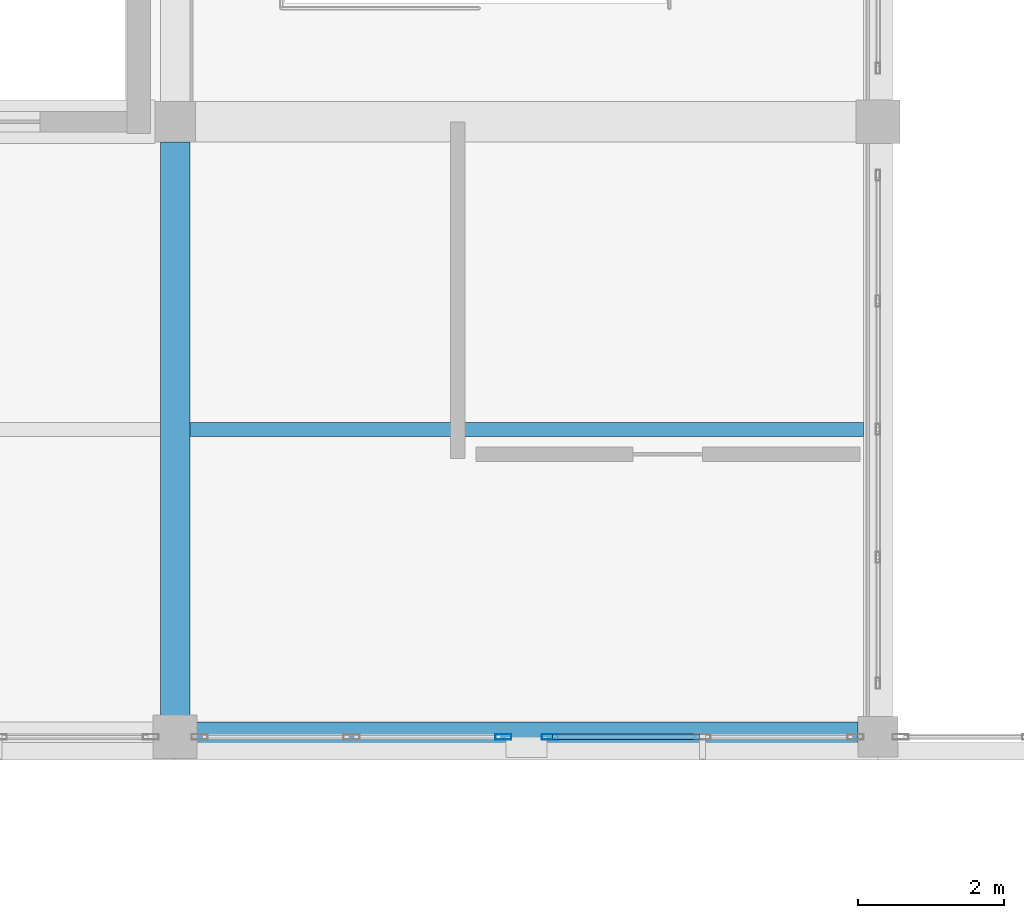
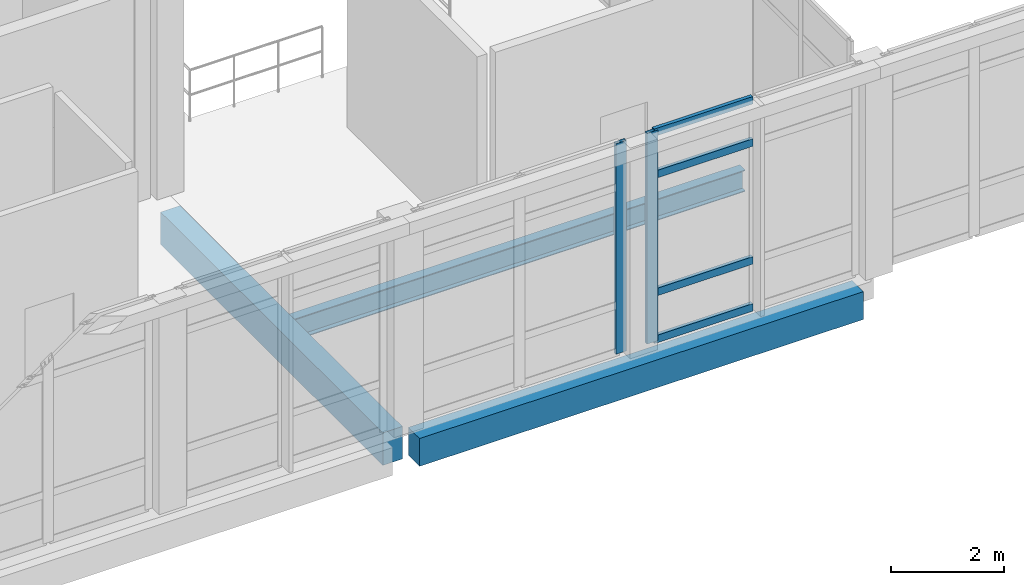
# One storey, part 22 of 88: 6 members, 3 beams, 2 elements without a shape of their own.
"""IFC4 building model written with IfcOpenShell, lengths in metres."""

from ifc_helpers import new_model, si_unit, direction, frame, origin, origin_2d, place, context, subcontext, project, spatial, rectangle, hollow_rectangle, i_section, extrude, material, layer, layer_set, material_profile, profile_set, type_object, element, aggregate, save


model = new_model("IFC4")

# Units and contexts
model_context = context("Model", 3, precision=1e-05, world=origin(), true_north=direction((0.0, 1.0)))
body_context = subcontext(model_context, "Body", "Model", "MODEL_VIEW")
ifc_project = project(units=[si_unit("LENGTHUNIT", "METRE"), si_unit("AREAUNIT", "SQUARE_METRE"), si_unit("VOLUMEUNIT", "CUBIC_METRE"), si_unit("PLANEANGLEUNIT", "RADIAN"), si_unit("MASSUNIT", "GRAM", prefix="KILO")], contexts=[model_context])

# Site, building, storey
site_placement = place(None, origin())
site = spatial("IfcSite", under=ifc_project, at=site_placement, CompositionType="ELEMENT")
building_placement = place(site_placement, origin())
building = spatial("IfcBuilding", under=site, at=building_placement, Name="Lornevale Opera House", CompositionType="ELEMENT")
storey_placement = place(building_placement, frame((0.0, 0.0, 10.199951171875)))
storey = spatial("IfcBuildingStorey", under=building, at=storey_placement, Name="L03", CompositionType="ELEMENT", Elevation=10.199951171875)

# Beams
ifc_material_1 = material(Name="Concrete 35 MPa (CSA A23.1 N)", Category="concrete")
ifc_material_profile_1 = material_profile(ifc_material_1, rectangle(XDim=0.39990234375, YDim=0.699951171875, at=origin_2d()), Name="RC400x700")
ifc_profile_set_1 = profile_set([ifc_material_profile_1], Name="Concrete 35 MPa (CSA A23.1 N)")
beam_type_1 = type_object("IfcBeamType", Name="Concrete Floor Beam 400x700", PredefinedType="USERDEFINED", material=ifc_profile_set_1)
beam_1_placement = place(storey_placement, frame((57.60009765625, 17.074951171875, -0.6298828125), z_axis=(0.0, 1.0, 0.0), x_axis=(-1.0, 0.0, 0.0)))
element("IfcBeam", 1, at=beam_1_placement, inside=storey, type_object=beam_type_1, Name="Concrete Floor Beam 400x700 2279", ObjectType="GIRDER", PredefinedType="USERDEFINED", context=body_context, shape_type="SweptSolid", body=[
    extrude(rectangle(XDim=0.39990234375, YDim=0.699951171875, at=origin_2d()), origin(), (0.0, 0.0, 1.0), 7.85009765625),
])
ifc_material_profile_2 = material_profile(ifc_material_1, rectangle(XDim=0.39990234375, YDim=0.60009765625, at=origin_2d()), Name="RC400x600")
ifc_profile_set_2 = profile_set([ifc_material_profile_2], Name="Concrete 35 MPa (CSA A23.1 N)")
beam_type_2 = type_object("IfcBeamType", Name="Concrete Spandrel Beam 400x600", PredefinedType="SPANDREL", material=ifc_profile_set_2)
beam_2_placement = place(storey_placement, frame((57.875, 16.800048828125, -0.579833984375), z_axis=(1.0, 0.0, 0.0), x_axis=(0.0, 1.0, 0.0)))
element("IfcBeam", 2, at=beam_2_placement, inside=storey, type_object=beam_type_2, Name="Concrete Spandrel Beam 400x600 2097", PredefinedType="SPANDREL", context=body_context, shape_type="SweptSolid", body=[
    extrude(rectangle(XDim=0.39990234375, YDim=0.60009765625, at=origin_2d()), origin(), (0.0, 0.0, 1.0), 9.050048828125),
])

# Curtain wall, member
ifc_material_2 = material(Name="Anodized Oxide-Green Aluminium Framing", Category="aluminium")
ifc_layer = layer(ifc_material_2, 0.219970703125)
ifc_layer_set = layer_set([ifc_layer], Name="Anodized Oxide-Green Aluminium Framing")
curtain_wall_type = type_object("IfcCurtainWallType", Name="Winter-Garden Curtain Wall M1900", PredefinedType="NOTDEFINED", material=ifc_layer_set)
curtain_wall_1_placement = place(storey_placement, origin())
curtain_wall_1 = element("IfcCurtainWall", 3, at=curtain_wall_1_placement, inside=storey, type_object=curtain_wall_type, Name="Winter-Garden Curtain Wall M1900 CW-134", PredefinedType="NOTDEFINED")
ifc_material_profile_3 = material_profile(ifc_material_2, hollow_rectangle(XDim=0.074951171875, YDim=0.219970703125, WallThickness=0.0048828125, at=origin_2d()), Name="ALU75x220x5")
ifc_profile_set_3 = profile_set([ifc_material_profile_3], Name="Anodized Oxide-Green Aluminium Framing")
member_type_1 = type_object("IfcMemberType", Name="Curtain Wall Mullion 75x220", PredefinedType="MULLION", material=ifc_profile_set_3)
member_1_placement = place(storey_placement, frame((62.717529296875, 16.800048828125, 0.0), z_axis=(0.0, 0.0, 1.0), x_axis=(0.0, -1.0, 0.0)))
member_1 = element("IfcMember", 4, at=member_1_placement, type_object=member_type_1, Name="Curtain Wall Mullion 75x220 CW2760", PredefinedType="MULLION", context=body_context, shape_type="SweptSolid", body=[
    extrude(hollow_rectangle(XDim=0.074951171875, YDim=0.219970703125, WallThickness=0.0048828125, at=origin_2d()), origin(), (0.0, 0.0, 1.0), 4.5400390625),
])

curtain_wall_2_placement = place(storey_placement, origin())
curtain_wall_2 = element("IfcCurtainWall", 5, at=curtain_wall_2_placement, inside=storey, type_object=curtain_wall_type, Name="Winter-Garden Curtain Wall M1900 CW-135", PredefinedType="NOTDEFINED")
member_2_placement = place(storey_placement, frame((62.08251953125, 16.800048828125, 0.0), z_axis=(0.0, 0.0, 1.0), x_axis=(0.0, -1.0, 0.0)))
member_2 = element("IfcMember", 6, at=member_2_placement, type_object=member_type_1, Name="Curtain Wall Mullion 75x220 CW2775", PredefinedType="MULLION", context=body_context, shape_type="SweptSolid", body=[
    extrude(hollow_rectangle(XDim=0.074951171875, YDim=0.219970703125, WallThickness=0.0048828125, at=origin_2d()), origin(), (0.0, 0.0, 1.0), 4.5400390625),
])
aggregate(curtain_wall_2, [member_2])

# Member
ifc_material_profile_4 = material_profile(ifc_material_2, hollow_rectangle(XDim=0.074951171875, YDim=0.159912109375, WallThickness=0.0048828125, at=origin_2d()), Name="ALU75x160x5")
ifc_profile_set_4 = profile_set([ifc_material_profile_4], Name="Anodized Oxide-Green Aluminium Framing")
member_type_2 = type_object("IfcMemberType", Name="Curtain Wall Transom 75x160", PredefinedType="USERDEFINED", material=ifc_profile_set_4)
member_3_placement = place(storey_placement, frame((64.76708984375, 16.800048828125, 0.03759765625), z_axis=(-1.0, 0.0, 0.0), x_axis=(0.0, -1.0, 0.0)))
member_3 = element("IfcMember", 7, at=member_3_placement, type_object=member_type_2, Name="Curtain Wall Transom 75x160 CW2768", ObjectType="TRANSOM", PredefinedType="USERDEFINED", context=body_context, shape_type="SweptSolid", body=[
    extrude(hollow_rectangle(XDim=0.074951171875, YDim=0.159912109375, WallThickness=0.0048828125, at=origin_2d()), origin(), (0.0, 0.0, 1.0), 2.01220703125),
])

member_4_placement = place(storey_placement, frame((64.76708984375, 16.800048828125, 1.050048828125), z_axis=(-1.0, 0.0, 0.0), x_axis=(0.0, -1.0, 0.0)))
member_4 = element("IfcMember", 8, at=member_4_placement, type_object=member_type_2, Name="Curtain Wall Transom 75x160 CW2769", ObjectType="TRANSOM", PredefinedType="USERDEFINED", context=body_context, shape_type="SweptSolid", body=[
    extrude(hollow_rectangle(XDim=0.074951171875, YDim=0.159912109375, WallThickness=0.0048828125, at=origin_2d()), origin(), (0.0, 0.0, 1.0), 2.01220703125),
])

member_5_placement = place(storey_placement, frame((64.76708984375, 16.800048828125, 3.590087890625), z_axis=(-1.0, 0.0, 0.0), x_axis=(0.0, -1.0, 0.0)))
member_5 = element("IfcMember", 9, at=member_5_placement, type_object=member_type_2, Name="Curtain Wall Transom 75x160 CW2770", ObjectType="TRANSOM", PredefinedType="USERDEFINED", context=body_context, shape_type="SweptSolid", body=[
    extrude(hollow_rectangle(XDim=0.074951171875, YDim=0.159912109375, WallThickness=0.0048828125, at=origin_2d()), origin(), (0.0, 0.0, 1.0), 2.01220703125),
])

member_6_placement = place(storey_placement, frame((64.76708984375, 16.800048828125, 4.50244140625), z_axis=(-1.0, 0.0, 0.0), x_axis=(0.0, -1.0, 0.0)))
member_6 = element("IfcMember", 10, at=member_6_placement, type_object=member_type_2, Name="Curtain Wall Transom 75x160 CW2771", ObjectType="TRANSOM", PredefinedType="USERDEFINED", context=body_context, shape_type="SweptSolid", body=[
    extrude(hollow_rectangle(XDim=0.074951171875, YDim=0.159912109375, WallThickness=0.0048828125, at=origin_2d()), origin(), (0.0, 0.0, 1.0), 2.01220703125),
])

aggregate(curtain_wall_1, [member_1, member_3, member_4, member_5, member_6])

# Beam
ifc_material_3 = material(Name="Structural Steel CSA G40.21 Grade 350W (350 MPa)", Category="steel")
ifc_material_profile_5 = material_profile(ifc_material_3, i_section(OverallWidth=0.19189453125, OverallDepth=0.462890625, WebThickness=0.010498046875, FlangeThickness=0.017578125, at=origin_2d()), Name="W460x89")
ifc_profile_set_5 = profile_set([ifc_material_profile_5], Name="Structural Steel CSA G40.21 Grade 350W (350 MPa)")
beam_type_3 = type_object("IfcBeamType", Name="Steel Floor Joist W460x89", PredefinedType="JOIST", material=ifc_profile_set_5)
beam_3_placement = place(storey_placement, frame((57.800048828125, 21.0, -0.5263671875), z_axis=(1.0, 0.0, 0.0), x_axis=(0.0, 1.0, 0.0)))
element("IfcBeam", 11, at=beam_3_placement, inside=storey, type_object=beam_type_3, Name="Steel Floor Joist W460x89 2406", PredefinedType="JOIST", context=body_context, shape_type="SweptSolid", body=[
    extrude(i_section(OverallWidth=0.19189453125, OverallDepth=0.462890625, WebThickness=0.010498046875, FlangeThickness=0.017578125, at=origin_2d()), origin(), (0.0, 0.0, 1.0), 9.199951171875),
])

save(model, "model.ifc")
